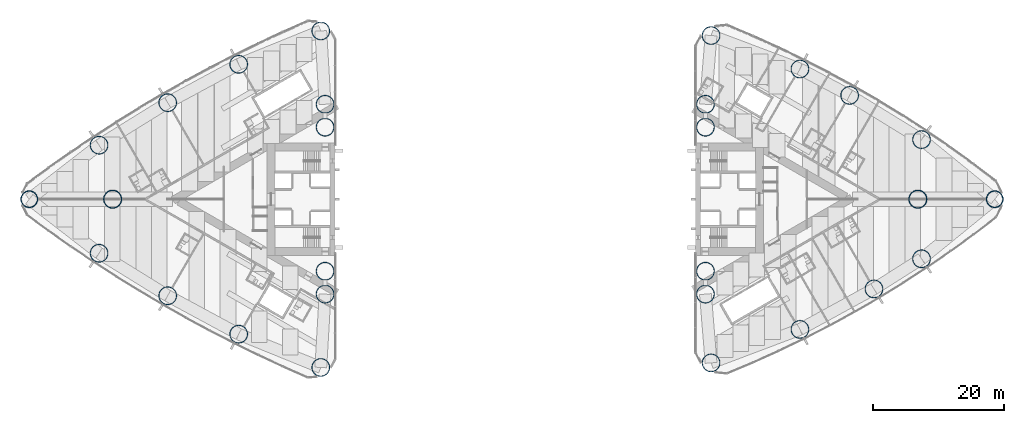
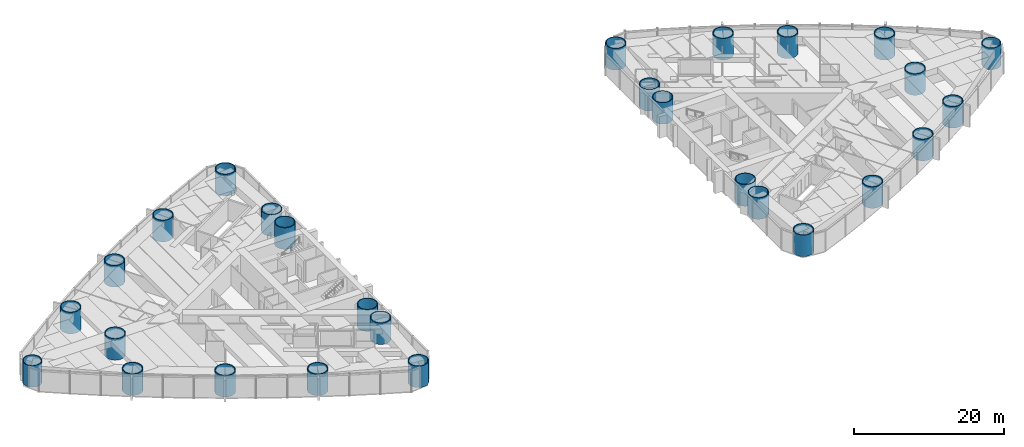
# One storey, part 1 of 19: 28 columns.
"""IFC4 building model written with IfcOpenShell, lengths in metres."""

from ifc_helpers import new_model, si_unit, direction, frame, origin, origin_2d, place, context, subcontext, project, spatial, hollow_circle, extrude, material, material_profile, profile_set, type_object, element, save


model = new_model("IFC4")

# Units and contexts
model_context = context("Model", 3, precision=1e-05, world=origin(), true_north=direction((0.0, 1.0)))
body_context = subcontext(model_context, "Body", "Model", "MODEL_VIEW")
ifc_project = project(units=[si_unit("LENGTHUNIT", "METRE"), si_unit("AREAUNIT", "SQUARE_METRE"), si_unit("VOLUMEUNIT", "CUBIC_METRE"), si_unit("PLANEANGLEUNIT", "RADIAN"), si_unit("MASSUNIT", "GRAM", prefix="KILO")], contexts=[model_context])

# Site, building, storey
site_placement = place(None, origin())
site = spatial("IfcSite", under=ifc_project, at=site_placement, CompositionType="ELEMENT")
building_placement = place(site_placement, origin())
building = spatial("IfcBuilding", under=site, at=building_placement, Name="Lancet Gate Hotel", CompositionType="ELEMENT")
storey_placement = place(building_placement, frame((0.0, 0.0, 32.0)))
storey = spatial("IfcBuildingStorey", under=building, at=storey_placement, Name="L07", CompositionType="ELEMENT", Elevation=32.0)

# Columns
ifc_material_1 = material(Name="Composite filled tube, grade 460 plate, grade 80/95 fill", Category="composite")
ifc_material_profile_1 = material_profile(ifc_material_1, hollow_circle(Radius=1.39990234375, WallThickness=0.10009765625, at=origin_2d()), Name="CHS 2800x100")
ifc_profile_set_1 = profile_set([ifc_material_profile_1], Name="Composite filled tube, grade 460 plate, grade 80/95 fill")
column_type_1 = type_object("IfcColumnType", Name="Apex column CFT CHS 2800x100", PredefinedType="COLUMN", material=ifc_profile_set_1)
for number, where, z_axis, x_axis, name in (
    (1, (-61.5, 0.0, 0.0), (0.0, 0.0, 1.0), (1.0, 0.0, 0.0), "T1 column AX L07"),
    (2, (61.5, 0.0, 0.0), (0.0, 0.0, 1.0), (1.0, 0.0, 0.0), "T2 column AX L07"),
):
    element("IfcColumn", number, at=place(storey_placement, frame(where, z_axis=z_axis, x_axis=x_axis)), inside=storey, type_object=column_type_1, Name=name, PredefinedType="COLUMN", context=body_context, shape_type="SweptSolid", body=[
        extrude(hollow_circle(Radius=1.39990234375, WallThickness=0.10009765625, at=origin_2d()), origin(), (0.0, 0.0, 1.0), 3.5),
    ])
ifc_material_2 = material(Name="Composite filled tube, grade 460 plate, grade 80/95 fill", Category="composite")
ifc_material_profile_2 = material_profile(ifc_material_2, hollow_circle(Radius=1.300048828125, WallThickness=0.10009765625, at=origin_2d()), Name="CHS 2600x100")
ifc_profile_set_2 = profile_set([ifc_material_profile_2], Name="Composite filled tube, grade 460 plate, grade 80/95 fill")
column_type_2 = type_object("IfcColumnType", Name="Apex corner column CFT CHS 2600x100", PredefinedType="COLUMN", material=ifc_profile_set_2)
for number, where, z_axis, x_axis, name in (
    (3, (-74.235107421875, 0.0, 0.0), (0.0, 0.0, 1.0), (1.0, 0.0, 0.0), "T1 column CA L07"),
    (4, (73.2392578125, 0.0, 0.0), (0.0, 0.0, 1.0), (1.0, 0.0, 0.0), "T2 column CA L07"),
):
    element("IfcColumn", number, at=place(storey_placement, frame(where, z_axis=z_axis, x_axis=x_axis)), inside=storey, type_object=column_type_2, Name=name, PredefinedType="COLUMN", context=body_context, shape_type="SweptSolid", body=[
        extrude(hollow_circle(Radius=1.300048828125, WallThickness=0.10009765625, at=origin_2d()), origin(), (0.0, 0.0, 1.0), 3.5),
    ])
ifc_material_3 = material(Name="Composite filled tube, grade 460 plate, grade 80/95 fill", Category="composite")
ifc_material_profile_3 = material_profile(ifc_material_3, hollow_circle(Radius=1.39990234375, WallThickness=0.1201171875, at=origin_2d()), Name="CHS 2800x120")
ifc_profile_set_3 = profile_set([ifc_material_profile_3], Name="Composite filled tube, grade 460 plate, grade 80/95 fill")
column_type_3 = type_object("IfcColumnType", Name="Perimeter column CFT CHS 2800x120", PredefinedType="COLUMN", material=ifc_profile_set_3)
for number, where, z_axis, x_axis, name in (
    (5, (-29.703369140625, -25.70263671875, 0.0), (0.0, 0.0, 1.0), (1.0, 0.0, 0.0), "T1 column CN L07"),
    (6, (-29.703369140625, 25.70263671875, 0.0), (0.0, 0.0, 1.0), (1.0, 0.0, 0.0), "T1 column CS L07"),
    (7, (-29.050048828125, -11.0, 0.0), (0.0, 0.0, 1.0), (1.0, 0.0, 0.0), "T1 column IN L07"),
    (8, (-29.050048828125, 11.0, 0.0), (0.0, 0.0, 1.0), (1.0, 0.0, 0.0), "T1 column IS L07"),
    (9, (-29.050048828125, 14.5, 0.0), (0.0, 0.0, 1.0), (1.0, 0.0, 0.0), "T1 column IT L07"),
    (10, (-29.050048828125, -14.5, 0.0), (0.0, 0.0, 1.0), (1.0, 0.0, 0.0), "T1 column JT L07"),
    (11, (-63.57177734375, -8.255126953125, 0.0), (0.0, 0.0, 1.0), (1.0, 0.0, 0.0), "T1 column ON1 L07"),
    (12, (-53.090087890625, -14.744873046875, 0.0), (0.0, 0.0, 1.0), (1.0, 0.0, 0.0), "T1 column ON2 L07"),
    (13, (-42.2451171875, -20.607421875, 0.0), (0.0, 0.0, 1.0), (1.0, 0.0, 0.0), "T1 column ON3 L07"),
    (14, (-42.2451171875, 20.607421875, 0.0), (0.0, 0.0, 1.0), (1.0, 0.0, 0.0), "T1 column OS1 L07"),
    (15, (-53.090087890625, 14.744873046875, 0.0), (0.0, 0.0, 1.0), (1.0, 0.0, 0.0), "T1 column OS2 L07"),
    (16, (-63.57177734375, 8.255126953125, 0.0), (0.0, 0.0, 1.0), (1.0, 0.0, 0.0), "T1 column OS3 L07"),
    (17, (29.9111328125, 25.00244140625, 0.0), (0.0, 0.0, 1.0), (1.0, 0.0, 0.0), "T2 column CN L07"),
    (18, (29.9111328125, -25.00244140625, 0.0), (0.0, 0.0, 1.0), (1.0, 0.0, 0.0), "T2 column CS L07"),
    (19, (29.050048828125, 11.0, 0.0), (0.0, 0.0, 1.0), (1.0, 0.0, 0.0), "T2 column IN L07"),
    (20, (29.050048828125, -11.0, 0.0), (0.0, 0.0, 1.0), (1.0, 0.0, 0.0), "T2 column IS L07"),
    (21, (29.050048828125, -14.5, 0.0), (0.0, 0.0, 1.0), (1.0, 0.0, 0.0), "T2 column IT L07"),
    (22, (29.050048828125, 14.5, 0.0), (0.0, 0.0, 1.0), (1.0, 0.0, 0.0), "T2 column JT L07"),
    (23, (62.059326171875, 9.10498046875, 0.0), (0.0, 0.0, 1.0), (1.0, 0.0, 0.0), "T2 column ON1 L07"),
    (24, (51.07763671875, 15.8583984375, 0.0), (0.0, 0.0, 1.0), (1.0, 0.0, 0.0), "T2 column ON2 L07"),
    (25, (43.484130859375, 19.886474609375, 0.0), (0.0, 0.0, 1.0), (1.0, 0.0, 0.0), "T2 column ON3 L07"),
    (26, (43.484130859375, -19.886474609375, 0.0), (0.0, 0.0, 1.0), (1.0, 0.0, 0.0), "T2 column OS1 L07"),
    (27, (54.795166015625, -13.70068359375, 0.0), (0.0, 0.0, 1.0), (1.0, 0.0, 0.0), "T2 column OS2 L07"),
    (28, (62.059326171875, -9.10498046875, 0.0), (0.0, 0.0, 1.0), (1.0, 0.0, 0.0), "T2 column OS3 L07"),
):
    element("IfcColumn", number, at=place(storey_placement, frame(where, z_axis=z_axis, x_axis=x_axis)), inside=storey, type_object=column_type_3, Name=name, PredefinedType="COLUMN", context=body_context, shape_type="SweptSolid", body=[
        extrude(hollow_circle(Radius=1.39990234375, WallThickness=0.1201171875, at=origin_2d()), origin(), (0.0, 0.0, 1.0), 3.5),
    ])

save(model, "model.ifc")
